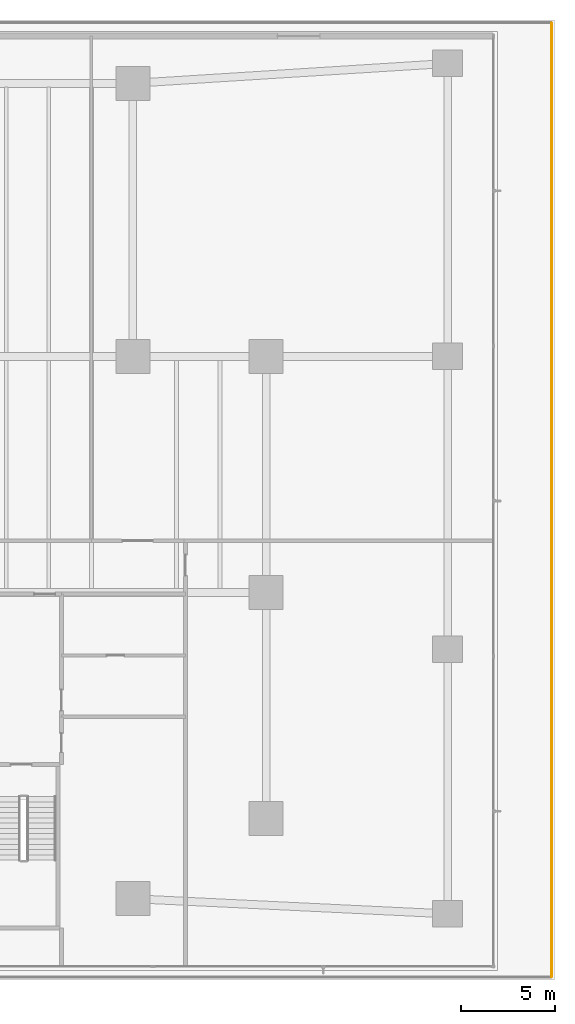
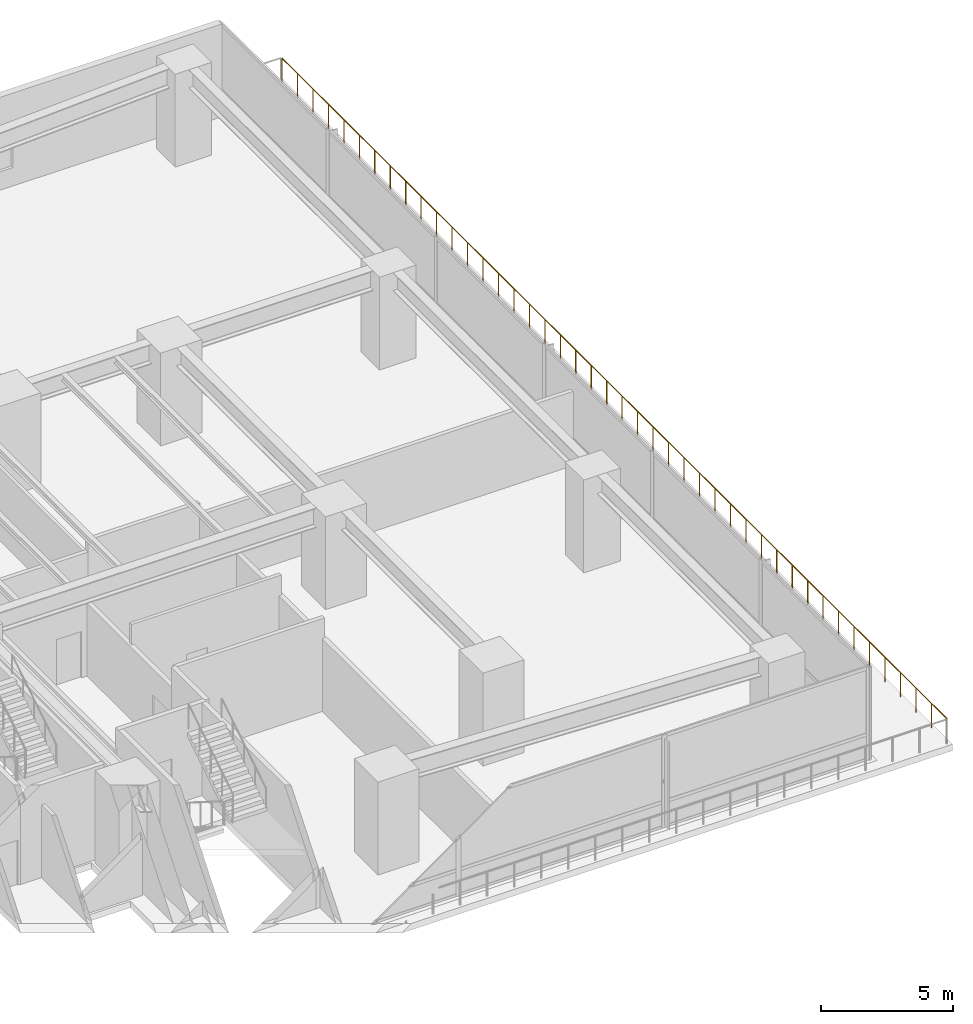
# One storey, part 27 of 28: 1 railing.
"""IFC4 building model written with IfcOpenShell, lengths in metres."""

from ifc_helpers import new_model, si_unit, direction, frame, origin, origin_2d, place, context, subcontext, project, spatial, circle, extrude, material, type_object, element, save


model = new_model("IFC4")

# Units and contexts
model_context = context("Model", 3, precision=1e-05, world=origin(), true_north=direction((0.0, 1.0)))
body_context = subcontext(model_context, "Body", "Model", "MODEL_VIEW")
ifc_project = project(units=[si_unit("LENGTHUNIT", "METRE"), si_unit("AREAUNIT", "SQUARE_METRE"), si_unit("VOLUMEUNIT", "CUBIC_METRE"), si_unit("PLANEANGLEUNIT", "RADIAN"), si_unit("MASSUNIT", "GRAM", prefix="KILO")], contexts=[model_context])

# Site, building, storey
site_placement = place(None, origin())
site = spatial("IfcSite", under=ifc_project, at=site_placement, CompositionType="ELEMENT")
building_placement = place(site_placement, origin())
building = spatial("IfcBuilding", under=site, at=building_placement, Name="Qalmaran Belvedere Hotel", CompositionType="ELEMENT")
storey_placement = place(building_placement, frame((0.0, 0.0, 10.0)))
storey = spatial("IfcBuildingStorey", under=building, at=storey_placement, Name="L02", CompositionType="ELEMENT", Elevation=10.0)

# Railing
ifc_material = material(Name="Anodised Bronze Aluminium", Category="aluminium")
railing_type = type_object("IfcRailingType", Name="GRD-TERR-1150", PredefinedType="BALUSTRADE", material=ifc_material)
railing_placement = place(storey_placement, frame((75.860107421875, 0.175048828125, 0.0)))
element("IfcRailing", 1, at=railing_placement, inside=storey, type_object=railing_type, Name="L02 Guardrail L02-TERR-2", PredefinedType="BALUSTRADE", context=body_context, shape_type="SweptSolid", body=[
    extrude(circle(Radius=0.02392578125, at=origin_2d()), frame((0.0, 0.0, 1.1259765625), z_axis=(0.0, 1.0, 0.0), x_axis=(-1.0, 0.0, 0.0)), (0.0, 0.0, 1.0), 50.449951171875),
    extrude(circle(Radius=0.02099609375, at=origin_2d()), origin(), (0.0, 0.0, 1.0), 1.101806640625),
    extrude(circle(Radius=0.02099609375, at=origin_2d()), frame((0.0, 1.17333984375, 0.0)), (0.0, 0.0, 1.0), 1.101806640625),
    extrude(circle(Radius=0.02099609375, at=origin_2d()), frame((0.0, 2.346435546875, 0.0)), (0.0, 0.0, 1.0), 1.101806640625),
    extrude(circle(Radius=0.02099609375, at=origin_2d()), frame((0.0, 3.519775390625, 0.0)), (0.0, 0.0, 1.0), 1.101806640625),
    extrude(circle(Radius=0.02099609375, at=origin_2d()), frame((0.0, 4.693115234375, 0.0)), (0.0, 0.0, 1.0), 1.101806640625),
    extrude(circle(Radius=0.02099609375, at=origin_2d()), frame((0.0, 5.8662109375, 0.0)), (0.0, 0.0, 1.0), 1.101806640625),
    extrude(circle(Radius=0.02099609375, at=origin_2d()), frame((0.0, 7.03955078125, 0.0)), (0.0, 0.0, 1.0), 1.101806640625),
    extrude(circle(Radius=0.02099609375, at=origin_2d()), frame((0.0, 8.212890625, 0.0)), (0.0, 0.0, 1.0), 1.101806640625),
    extrude(circle(Radius=0.02099609375, at=origin_2d()), frame((0.0, 9.385986328125, 0.0)), (0.0, 0.0, 1.0), 1.101806640625),
    extrude(circle(Radius=0.02099609375, at=origin_2d()), frame((0.0, 10.559326171875, 0.0)), (0.0, 0.0, 1.0), 1.101806640625),
    extrude(circle(Radius=0.02099609375, at=origin_2d()), frame((0.0, 11.732666015625, 0.0)), (0.0, 0.0, 1.0), 1.101806640625),
    extrude(circle(Radius=0.02099609375, at=origin_2d()), frame((0.0, 12.90576171875, 0.0)), (0.0, 0.0, 1.0), 1.101806640625),
    extrude(circle(Radius=0.02099609375, at=origin_2d()), frame((0.0, 14.0791015625, 0.0)), (0.0, 0.0, 1.0), 1.101806640625),
    extrude(circle(Radius=0.02099609375, at=origin_2d()), frame((0.0, 15.252197265625, 0.0)), (0.0, 0.0, 1.0), 1.101806640625),
    extrude(circle(Radius=0.02099609375, at=origin_2d()), frame((0.0, 16.425537109375, 0.0)), (0.0, 0.0, 1.0), 1.101806640625),
    extrude(circle(Radius=0.02099609375, at=origin_2d()), frame((0.0, 17.598876953125, 0.0)), (0.0, 0.0, 1.0), 1.101806640625),
    extrude(circle(Radius=0.02099609375, at=origin_2d()), frame((0.0, 18.77197265625, 0.0)), (0.0, 0.0, 1.0), 1.101806640625),
    extrude(circle(Radius=0.02099609375, at=origin_2d()), frame((0.0, 19.9453125, 0.0)), (0.0, 0.0, 1.0), 1.101806640625),
    extrude(circle(Radius=0.02099609375, at=origin_2d()), frame((0.0, 21.11865234375, 0.0)), (0.0, 0.0, 1.0), 1.101806640625),
    extrude(circle(Radius=0.02099609375, at=origin_2d()), frame((0.0, 22.291748046875, 0.0)), (0.0, 0.0, 1.0), 1.101806640625),
    extrude(circle(Radius=0.02099609375, at=origin_2d()), frame((0.0, 23.465087890625, 0.0)), (0.0, 0.0, 1.0), 1.101806640625),
    extrude(circle(Radius=0.02099609375, at=origin_2d()), frame((0.0, 24.638427734375, 0.0)), (0.0, 0.0, 1.0), 1.101806640625),
    extrude(circle(Radius=0.02099609375, at=origin_2d()), frame((0.0, 25.8115234375, 0.0)), (0.0, 0.0, 1.0), 1.101806640625),
    extrude(circle(Radius=0.02099609375, at=origin_2d()), frame((0.0, 26.98486328125, 0.0)), (0.0, 0.0, 1.0), 1.101806640625),
    extrude(circle(Radius=0.02099609375, at=origin_2d()), frame((0.0, 28.158203125, 0.0)), (0.0, 0.0, 1.0), 1.101806640625),
    extrude(circle(Radius=0.02099609375, at=origin_2d()), frame((0.0, 29.331298828125, 0.0)), (0.0, 0.0, 1.0), 1.101806640625),
    extrude(circle(Radius=0.02099609375, at=origin_2d()), frame((0.0, 30.504638671875, 0.0)), (0.0, 0.0, 1.0), 1.101806640625),
    extrude(circle(Radius=0.02099609375, at=origin_2d()), frame((0.0, 31.677978515625, 0.0)), (0.0, 0.0, 1.0), 1.101806640625),
    extrude(circle(Radius=0.02099609375, at=origin_2d()), frame((0.0, 32.85107421875, 0.0)), (0.0, 0.0, 1.0), 1.101806640625),
    extrude(circle(Radius=0.02099609375, at=origin_2d()), frame((0.0, 34.0244140625, 0.0)), (0.0, 0.0, 1.0), 1.101806640625),
    extrude(circle(Radius=0.02099609375, at=origin_2d()), frame((0.0, 35.19775390625, 0.0)), (0.0, 0.0, 1.0), 1.101806640625),
    extrude(circle(Radius=0.02099609375, at=origin_2d()), frame((0.0, 36.370849609375, 0.0)), (0.0, 0.0, 1.0), 1.101806640625),
    extrude(circle(Radius=0.02099609375, at=origin_2d()), frame((0.0, 37.544189453125, 0.0)), (0.0, 0.0, 1.0), 1.101806640625),
    extrude(circle(Radius=0.02099609375, at=origin_2d()), frame((0.0, 38.71728515625, 0.0)), (0.0, 0.0, 1.0), 1.101806640625),
    extrude(circle(Radius=0.02099609375, at=origin_2d()), frame((0.0, 39.890625, 0.0)), (0.0, 0.0, 1.0), 1.101806640625),
    extrude(circle(Radius=0.02099609375, at=origin_2d()), frame((0.0, 41.06396484375, 0.0)), (0.0, 0.0, 1.0), 1.101806640625),
    extrude(circle(Radius=0.02099609375, at=origin_2d()), frame((0.0, 42.237060546875, 0.0)), (0.0, 0.0, 1.0), 1.101806640625),
    extrude(circle(Radius=0.02099609375, at=origin_2d()), frame((0.0, 43.410400390625, 0.0)), (0.0, 0.0, 1.0), 1.101806640625),
    extrude(circle(Radius=0.02099609375, at=origin_2d()), frame((0.0, 44.583740234375, 0.0)), (0.0, 0.0, 1.0), 1.101806640625),
    extrude(circle(Radius=0.02099609375, at=origin_2d()), frame((0.0, 45.7568359375, 0.0)), (0.0, 0.0, 1.0), 1.101806640625),
    extrude(circle(Radius=0.02099609375, at=origin_2d()), frame((0.0, 46.93017578125, 0.0)), (0.0, 0.0, 1.0), 1.101806640625),
    extrude(circle(Radius=0.02099609375, at=origin_2d()), frame((0.0, 48.103515625, 0.0)), (0.0, 0.0, 1.0), 1.101806640625),
    extrude(circle(Radius=0.02099609375, at=origin_2d()), frame((0.0, 49.276611328125, 0.0)), (0.0, 0.0, 1.0), 1.101806640625),
    extrude(circle(Radius=0.02099609375, at=origin_2d()), frame((0.0, 50.449951171875, 0.0)), (0.0, 0.0, 1.0), 1.101806640625),
])

save(model, "model.ifc")
